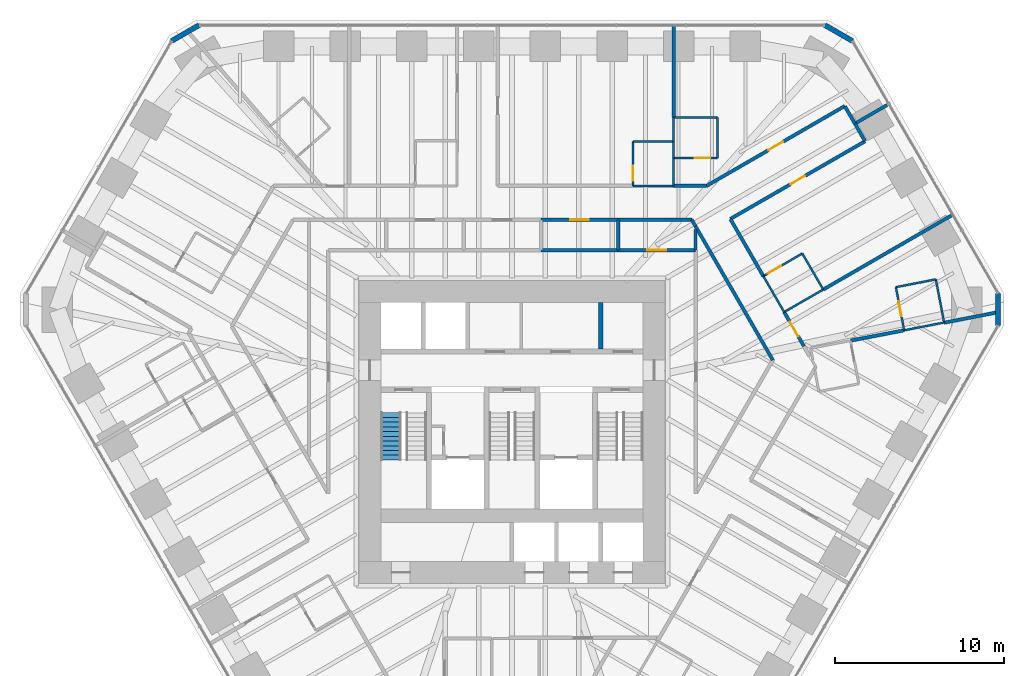
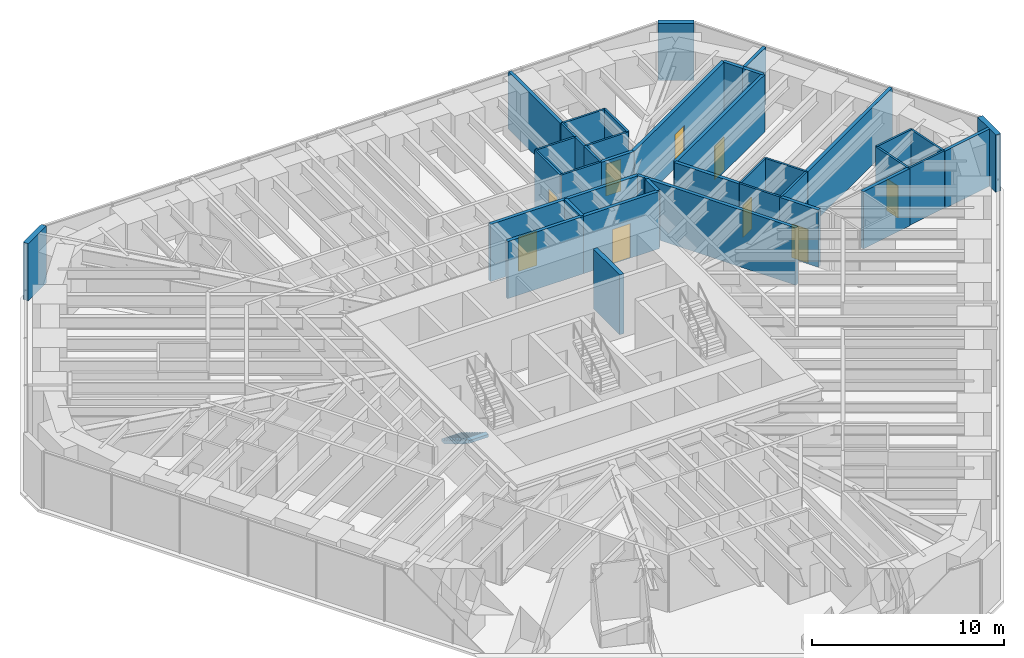
# One storey, part 15 of 17: 41 walls, 9 doors, 1 stair flight, 9 openings, 1 element without a shape of its own.
"""IFC4 building model written with IfcOpenShell, lengths in metres."""

from ifc_helpers import new_model, si_unit, direction, frame, frame_2d, origin, place, context, subcontext, project, spatial, polyline, rectangle, outline, extrude, material, layer, layer_set, type_object, element, fill, aggregate, save


model = new_model("IFC4")

# Units and contexts
model_context = context("Model", 3, precision=1e-05, world=origin(), true_north=direction((0.0, 1.0)))
body_context = subcontext(model_context, "Body", "Model", "MODEL_VIEW")
ifc_project = project(units=[si_unit("LENGTHUNIT", "METRE"), si_unit("AREAUNIT", "SQUARE_METRE"), si_unit("VOLUMEUNIT", "CUBIC_METRE"), si_unit("PLANEANGLEUNIT", "RADIAN"), si_unit("MASSUNIT", "GRAM", prefix="KILO")], contexts=[model_context])

# Site, building, storey
site_placement = place(None, origin())
site = spatial("IfcSite", under=ifc_project, at=site_placement, CompositionType="ELEMENT")
building_placement = place(site_placement, origin())
building = spatial("IfcBuilding", under=site, at=building_placement, Name="Sandreach Pilgrim Tower", CompositionType="ELEMENT")
storey_placement = place(building_placement, frame((0.0, 0.0, 146.199951171875)))
storey = spatial("IfcBuildingStorey", under=building, at=storey_placement, Name="L36", CompositionType="ELEMENT", Elevation=146.199951171875)

# Wall, opening, door
ifc_material_1 = material(Name="Moisture-resistant gypsum board on steel studs", Category="steel")
ifc_layer_1 = layer(ifc_material_1, 0.1201171875)
ifc_layer_set_1 = layer_set([ifc_layer_1], Name="Bathroom partition 120")
wall_type_1 = type_object("IfcWallType", Name="Bathroom partition 120", PredefinedType="PARTITIONING", material=ifc_layer_set_1)
wall_1_placement = place(storey_placement, frame((7.14990234375, 15.610107421875, 0.0), z_axis=(0.0, 0.0, 1.0), x_axis=(0.0, -1.0, 0.0)))
wall_1 = element("IfcWall", 1, at=wall_1_placement, inside=storey, type_object=wall_type_1, Name="Bathroom partition L36-100", PredefinedType="PARTITIONING", context=body_context, shape_type="SweptSolid", body=[
    extrude(rectangle(XDim=2.6201171875, YDim=0.1201171875, at=frame_2d((1.31005859375, 0.0))), origin(), (0.0, 0.0, 1.0), 3.64013671875),
])
opening_1_placement = place(wall_1_placement, frame((1.419921875, 0.0, 0.0)))
opening_1 = element("IfcOpeningElement", 2, at=opening_1_placement, cuts=wall_1, Name="Opening D09-03B", PredefinedType="OPENING", context=body_context, shape_type="SweptSolid", body=[
    extrude(rectangle(XDim=0.89990234375, YDim=2.030029296875, at=frame_2d((0.449951171875, 1.01513671875))), frame((0.0, 0.06005859375, 0.0), z_axis=(0.0, -1.0, 0.0), x_axis=(1.0, 0.0, 0.0)), (0.0, 0.0, 1.0), 0.1201171875),
])
ifc_material_2 = material(Name="Timber door, steel frame", Category="steel")
door_type_1 = type_object("IfcDoorType", Name="Bathroom door", OperationType="SINGLE_SWING_LEFT", PredefinedType="DOOR", material=ifc_material_2)
door_1_placement = place(opening_1_placement, origin())
door_1 = element("IfcDoor", 3, at=door_1_placement, inside=storey, type_object=door_type_1, Name="Door 3603B", OperationType="SINGLE_SWING_RIGHT", OverallHeight=2.030029296875, OverallWidth=0.89990234375, PredefinedType="DOOR", context=body_context, shape_type="SweptSolid", body=[
    extrude(rectangle(XDim=0.89990234375, YDim=2.030029296875, at=frame_2d((0.449951171875, 1.01513671875))), frame((0.0, 0.02490234375, 0.0), z_axis=(0.0, -1.0, 0.0), x_axis=(1.0, 0.0, 0.0)), (0.0, 0.0, 1.0), 0.050048828125),
])
fill(opening_1, door_1)

# Walls
wall_2_placement = place(storey_placement, frame((9.550048828125, 12.989990234375, 0.0), z_axis=(0.0, 0.0, 1.0), x_axis=(-1.0, 0.0, 0.0)))
element("IfcWall", 4, at=wall_2_placement, inside=storey, type_object=wall_type_1, Name="Bathroom partition L36-109", PredefinedType="PARTITIONING", context=body_context, shape_type="SweptSolid", body=[
    extrude(rectangle(XDim=2.400146484375, YDim=0.1201171875, at=frame_2d((1.2001953125, 0.0))), origin(), (0.0, 0.0, 1.0), 3.64013671875),
])
wall_3_placement = place(storey_placement, frame((9.550048828125, 14.639892578125, 0.0), z_axis=(0.0, 0.0, 1.0), x_axis=(0.0, -1.0, 0.0)))
element("IfcWall", 5, at=wall_3_placement, inside=storey, type_object=wall_type_1, Name="Bathroom partition L36-110", PredefinedType="PARTITIONING", context=body_context, shape_type="SweptSolid", body=[
    extrude(rectangle(XDim=1.64990234375, YDim=0.1201171875, at=frame_2d((0.824951171875, 0.0))), origin(), (0.0, 0.0, 1.0), 3.64013671875),
])

# Wall, opening, door
wall_4_placement = place(storey_placement, frame((9.550048828125, 14.639892578125, 0.0), z_axis=(0.0, 0.0, 1.0), x_axis=(1.0, 0.0, 0.0)))
wall_4 = element("IfcWall", 6, at=wall_4_placement, inside=storey, type_object=wall_type_1, Name="Bathroom partition L36-111", PredefinedType="PARTITIONING", context=body_context, shape_type="SweptSolid", body=[
    extrude(rectangle(XDim=2.599853515625, YDim=0.1201171875, at=frame_2d((1.2998046875, 0.0))), origin(), (0.0, 0.0, 1.0), 3.64013671875),
])
opening_2_placement = place(wall_4_placement, frame((1.25, 0.0, 0.0)))
opening_2 = element("IfcOpeningElement", 7, at=opening_2_placement, cuts=wall_4, Name="Opening D09-04B", PredefinedType="OPENING", context=body_context, shape_type="SweptSolid", body=[
    extrude(rectangle(XDim=0.89990234375, YDim=2.030029296875, at=frame_2d((0.449951171875, 1.01513671875))), frame((0.0, 0.06005859375, 0.0), z_axis=(0.0, -1.0, 0.0), x_axis=(1.0, 0.0, 0.0)), (0.0, 0.0, 1.0), 0.1201171875),
])
door_2_placement = place(opening_2_placement, origin())
door_2 = element("IfcDoor", 8, at=door_2_placement, inside=storey, type_object=door_type_1, Name="Door 3604B", OperationType="SINGLE_SWING_RIGHT", OverallHeight=2.030029296875, OverallWidth=0.89990234375, PredefinedType="DOOR", context=body_context, shape_type="SweptSolid", body=[
    extrude(rectangle(XDim=0.89990234375, YDim=2.030029296875, at=frame_2d((0.449951171875, 1.01513671875))), frame((0.0, 0.02490234375, 0.0), z_axis=(0.0, -1.0, 0.0), x_axis=(1.0, 0.0, 0.0)), (0.0, 0.0, 1.0), 0.050048828125),
])
fill(opening_2, door_2)

# Walls
wall_5_placement = place(storey_placement, frame((9.550048828125, 15.610107421875, 0.0), z_axis=(0.0, 0.0, 1.0), x_axis=(-1.0, 0.0, 0.0)))
element("IfcWall", 9, at=wall_5_placement, inside=storey, type_object=wall_type_1, Name="Bathroom partition L36-112", PredefinedType="PARTITIONING", context=body_context, shape_type="SweptSolid", body=[
    extrude(rectangle(XDim=2.400146484375, YDim=0.1201171875, at=frame_2d((1.2001953125, 0.0))), origin(), (0.0, 0.0, 1.0), 3.64013671875),
])
wall_6_placement = place(storey_placement, frame((9.550048828125, 15.610107421875, 0.0), z_axis=(0.0, 0.0, 1.0), x_axis=(0.0, -1.0, 0.0)))
element("IfcWall", 10, at=wall_6_placement, inside=storey, type_object=wall_type_1, Name="Bathroom partition L36-113", PredefinedType="PARTITIONING", context=body_context, shape_type="SweptSolid", body=[
    extrude(rectangle(XDim=0.97021484375, YDim=0.1201171875, at=frame_2d((0.485107421875, 0.0))), origin(), (0.0, 0.0, 1.0), 3.64013671875),
])
wall_7_placement = place(storey_placement, frame((9.550048828125, 17.0400390625, 0.0), z_axis=(0.0, 0.0, 1.0), x_axis=(0.0, -1.0, 0.0)))
element("IfcWall", 11, at=wall_7_placement, inside=storey, type_object=wall_type_1, Name="Bathroom partition L36-114", PredefinedType="PARTITIONING", context=body_context, shape_type="SweptSolid", body=[
    extrude(rectangle(XDim=1.429931640625, YDim=0.1201171875, at=frame_2d((0.71484375, 0.0))), origin(), (0.0, 0.0, 1.0), 3.64013671875),
])
wall_8_placement = place(storey_placement, frame((12.14990234375, 14.639892578125, 0.0), z_axis=(0.0, 0.0, 1.0), x_axis=(0.0, 1.0, 0.0)))
element("IfcWall", 12, at=wall_8_placement, inside=storey, type_object=wall_type_1, Name="Bathroom partition L36-123", PredefinedType="PARTITIONING", context=body_context, shape_type="SweptSolid", body=[
    extrude(rectangle(XDim=2.400146484375, YDim=0.1201171875, at=frame_2d((1.2001953125, 0.0))), origin(), (0.0, 0.0, 1.0), 3.64013671875),
])
wall_9_placement = place(storey_placement, frame((12.14990234375, 17.0400390625, 0.0), z_axis=(0.0, 0.0, 1.0), x_axis=(-1.0, 0.0, 0.0)))
element("IfcWall", 13, at=wall_9_placement, inside=storey, type_object=wall_type_1, Name="Bathroom partition L36-124", PredefinedType="PARTITIONING", context=body_context, shape_type="SweptSolid", body=[
    extrude(rectangle(XDim=2.599853515625, YDim=0.1201171875, at=frame_2d((1.2998046875, 0.0))), origin(), (0.0, 0.0, 1.0), 3.64013671875),
])
wall_10_placement = place(storey_placement, frame((14.85009765625, 7.66015625, 0.0), z_axis=(0.0, 0.0, 1.0), x_axis=(0.501236510024, -0.865310326426, 0.0)))
element("IfcWall", 14, at=wall_10_placement, inside=storey, type_object=wall_type_1, Name="Bathroom partition L36-129", PredefinedType="PARTITIONING", context=body_context, shape_type="SweptSolid", body=[
    extrude(rectangle(XDim=2.450927734375, YDim=0.1201171875, at=frame_2d((1.2255859375, 0.0))), origin(), (0.0, 0.0, 1.0), 3.64013671875),
])
wall_11_placement = place(storey_placement, frame((16.080078125, 5.5400390625, 0.0), z_axis=(0.0, 0.0, 1.0), x_axis=(0.86663205897, 0.498947767172, 0.0)))
element("IfcWall", 15, at=wall_11_placement, inside=storey, type_object=wall_type_1, Name="Bathroom partition L36-132", PredefinedType="PARTITIONING", context=body_context, shape_type="SweptSolid", body=[
    extrude(rectangle(XDim=2.665283203125, YDim=0.1201171875, at=frame_2d((1.33251953125, 0.0))), origin(), (0.0, 0.0, 1.0), 3.64013671875),
])

# Wall, opening, door
wall_12_placement = place(storey_placement, frame((17.14990234375, 9.0, 0.0), z_axis=(0.0, 0.0, 1.0), x_axis=(-0.864018325232, -0.503460359575, 0.0)))
wall_12 = element("IfcWall", 16, at=wall_12_placement, inside=storey, type_object=wall_type_1, Name="Bathroom partition L36-133", PredefinedType="PARTITIONING", context=body_context, shape_type="SweptSolid", body=[
    extrude(rectangle(XDim=2.661865234375, YDim=0.1201171875, at=frame_2d((1.3310546875, 0.0))), origin(), (0.0, 0.0, 1.0), 3.64013671875),
])
opening_3_placement = place(wall_12_placement, frame((1.4619140625, 0.0, 0.0)))
opening_3 = element("IfcOpeningElement", 17, at=opening_3_placement, cuts=wall_12, Name="Opening D09-05B", PredefinedType="OPENING", context=body_context, shape_type="SweptSolid", body=[
    extrude(rectangle(XDim=0.89990234375, YDim=2.030029296875, at=frame_2d((0.449951171875, 1.01513671875))), frame((0.0, 0.06005859375, 0.0), z_axis=(0.0, -1.0, 0.0), x_axis=(1.0, 0.0, 0.0)), (0.0, 0.0, 1.0), 0.1201171875),
])
door_3_placement = place(opening_3_placement, origin())
door_3 = element("IfcDoor", 18, at=door_3_placement, inside=storey, type_object=door_type_1, Name="Door 3605B", OperationType="SINGLE_SWING_RIGHT", OverallHeight=2.030029296875, OverallWidth=0.89990234375, PredefinedType="DOOR", context=body_context, shape_type="SweptSolid", body=[
    extrude(rectangle(XDim=0.89990234375, YDim=2.030029296875, at=frame_2d((0.449951171875, 1.01513671875))), frame((0.0, 0.02490234375, 0.0), z_axis=(0.0, -1.0, 0.0), x_axis=(1.0, 0.0, 0.0)), (0.0, 0.0, 1.0), 0.050048828125),
])
fill(opening_3, door_3)

# Wall
wall_13_placement = place(storey_placement, frame((18.389892578125, 6.8701171875, 0.0), z_axis=(0.0, 0.0, 1.0), x_axis=(-0.503131731744, 0.864209731785, 0.0)))
element("IfcWall", 19, at=wall_13_placement, inside=storey, type_object=wall_type_1, Name="Bathroom partition L36-141", PredefinedType="PARTITIONING", context=body_context, shape_type="SweptSolid", body=[
    extrude(rectangle(XDim=2.464599609375, YDim=0.1201171875, at=frame_2d((1.232421875, 0.0))), origin(), (0.0, 0.0, 1.0), 3.64013671875),
])

# Wall, opening, door
wall_14_placement = place(storey_placement, frame((22.679931640625, 7.010009765625, 0.0), z_axis=(0.0, 0.0, 1.0), x_axis=(0.188697442844, -0.982035271802, 0.0)))
wall_14 = element("IfcWall", 20, at=wall_14_placement, inside=storey, type_object=wall_type_1, Name="Bathroom partition L36-150", PredefinedType="PARTITIONING", context=body_context, shape_type="SweptSolid", body=[
    extrude(rectangle(XDim=2.5966796875, YDim=0.1201171875, at=frame_2d((1.29833984375, 0.0))), origin(), (0.0, 0.0, 1.0), 3.64013671875),
])
opening_4_placement = place(wall_14_placement, frame((0.85009765625, 0.0, 0.0)))
opening_4 = element("IfcOpeningElement", 21, at=opening_4_placement, cuts=wall_14, Name="Opening D09-06B", PredefinedType="OPENING", context=body_context, shape_type="SweptSolid", body=[
    extrude(rectangle(XDim=0.89990234375, YDim=2.030029296875, at=frame_2d((0.449951171875, 1.01513671875))), frame((0.0, 0.06005859375, 0.0), z_axis=(0.0, -1.0, 0.0), x_axis=(1.0, 0.0, 0.0)), (0.0, 0.0, 1.0), 0.1201171875),
])
door_4_placement = place(opening_4_placement, origin())
door_4 = element("IfcDoor", 22, at=door_4_placement, inside=storey, type_object=door_type_1, Name="Door 3606B", OperationType="SINGLE_SWING_LEFT", OverallHeight=2.030029296875, OverallWidth=0.89990234375, PredefinedType="DOOR", context=body_context, shape_type="SweptSolid", body=[
    extrude(rectangle(XDim=0.89990234375, YDim=2.030029296875, at=frame_2d((0.449951171875, 1.01513671875))), frame((0.0, 0.02490234375, 0.0), z_axis=(0.0, -1.0, 0.0), x_axis=(1.0, 0.0, 0.0)), (0.0, 0.0, 1.0), 0.050048828125),
])
fill(opening_4, door_4)

# Walls
for number, where, z_axis, x_axis, name in (
    (23, (23.169921875, 4.4599609375, 0.0), (0.0, 0.0, 1.0), (0.981533392326, 0.191290877329, 0.0), "Bathroom partition L36-151"),
    (24, (25.0400390625, 7.469970703125, 0.0), (0.0, 0.0, 1.0), (-0.981533392326, -0.191290877329, 0.0), "Bathroom partition L36-152"),
):
    element("IfcWall", number, at=place(storey_placement, frame(where, z_axis=z_axis, x_axis=x_axis)), inside=storey, type_object=wall_type_1, Name=name, PredefinedType="PARTITIONING", context=body_context, shape_type="SweptSolid", body=[
        extrude(rectangle(XDim=2.404541015625, YDim=0.1201171875, at=frame_2d((1.2021484375, 0.0))), origin(), (0.0, 0.0, 1.0), 3.64013671875),
    ])
wall_15_placement = place(storey_placement, frame((25.530029296875, 4.919921875, 0.0), z_axis=(0.0, 0.0, 1.0), x_axis=(-0.188697442844, 0.982035271802, 0.0)))
element("IfcWall", 25, at=wall_15_placement, inside=storey, type_object=wall_type_1, Name="Bathroom partition L36-153", PredefinedType="PARTITIONING", context=body_context, shape_type="SweptSolid", body=[
    extrude(rectangle(XDim=2.5966796875, YDim=0.1201171875, at=frame_2d((1.29833984375, 0.0))), origin(), (0.0, 0.0, 1.0), 3.64013671875),
])

# Wall, opening, door
ifc_material_3 = material(Name="Gypsum board on steel studs, two layers each side", Category="steel")
ifc_layer_2 = layer(ifc_material_3, 0.199951171875)
ifc_layer_set_2 = layer_set([ifc_layer_2], Name="Corridor wall 200")
wall_type_2 = type_object("IfcWallType", Name="Corridor wall 200", PredefinedType="PARTITIONING", material=ifc_layer_set_2)
wall_16_placement = place(storey_placement, frame((1.7099609375, 10.989990234375, 0.0), z_axis=(0.0, 0.0, 1.0), x_axis=(1.0, 0.0, 0.0)))
wall_16 = element("IfcWall", 26, at=wall_16_placement, inside=storey, type_object=wall_type_2, Name="Corridor wall L36-082", PredefinedType="PARTITIONING", context=body_context, shape_type="SweptSolid", body=[
    extrude(rectangle(XDim=4.56005859375, YDim=0.199951171875, at=frame_2d((2.280029296875, 0.0))), origin(), (0.0, 0.0, 1.0), 3.64013671875),
])
opening_5_placement = place(wall_16_placement, frame((1.72998046875, 0.0, 0.0)))
opening_5 = element("IfcOpeningElement", 27, at=opening_5_placement, cuts=wall_16, Name="Opening D11H-M05", PredefinedType="OPENING", context=body_context, shape_type="SweptSolid", body=[
    extrude(rectangle(XDim=1.10009765625, YDim=2.199951171875, at=frame_2d((0.550048828125, 1.10009765625))), frame((0.0, 0.10009765625, 0.0), z_axis=(0.0, -1.0, 0.0), x_axis=(1.0, 0.0, 0.0)), (0.0, 0.0, 1.0), 0.199951171875),
])
ifc_material_4 = material(Name="Steel door and frame", Category="steel")
door_type_2 = type_object("IfcDoorType", Name="Back of house door", OperationType="SINGLE_SWING_LEFT", PredefinedType="DOOR", material=ifc_material_4)
door_5_placement = place(opening_5_placement, origin())
door_5 = element("IfcDoor", 28, at=door_5_placement, inside=storey, type_object=door_type_2, Name="Door 36M05", OperationType="SINGLE_SWING_LEFT", OverallHeight=2.199951171875, OverallWidth=1.10009765625, PredefinedType="DOOR", context=body_context, shape_type="SweptSolid", body=[
    extrude(rectangle(XDim=1.10009765625, YDim=2.199951171875, at=frame_2d((0.550048828125, 1.10009765625))), frame((0.0, 0.02490234375, 0.0), z_axis=(0.0, -1.0, 0.0), x_axis=(1.0, 0.0, 0.0)), (0.0, 0.0, 1.0), 0.050048828125),
])
fill(opening_5, door_5)

# Walls
wall_17_placement = place(storey_placement, frame((6.27001953125, 9.199951171875, 0.0), z_axis=(0.0, 0.0, 1.0), x_axis=(-1.0, 0.0, 0.0)))
element("IfcWall", 29, at=wall_17_placement, inside=storey, type_object=wall_type_2, Name="Corridor wall L36-095", PredefinedType="PARTITIONING", context=body_context, shape_type="SweptSolid", body=[
    extrude(rectangle(XDim=4.56005859375, YDim=0.199951171875, at=frame_2d((2.280029296875, 0.0))), origin(), (0.0, 0.0, 1.0), 3.64013671875),
])
wall_18_placement = place(storey_placement, frame((6.27001953125, 10.989990234375, 0.0), z_axis=(0.0, 0.0, 1.0), x_axis=(1.0, 0.0, 0.0)))
element("IfcWall", 30, at=wall_18_placement, inside=storey, type_object=wall_type_2, Name="Corridor wall L36-097", PredefinedType="PARTITIONING", context=body_context, shape_type="SweptSolid", body=[
    extrude(rectangle(XDim=4.35009765625, YDim=0.199951171875, at=frame_2d((2.175048828125, 0.0))), origin(), (0.0, 0.0, 1.0), 3.64013671875),
])
wall_19_placement = place(storey_placement, frame((10.6201171875, 10.989990234375, 0.0), z_axis=(0.0, 0.0, 1.0), x_axis=(0.5011020393, -0.865388205495, 0.0)))
element("IfcWall", 31, at=wall_19_placement, inside=storey, type_object=wall_type_2, Name="Corridor wall L36-116", PredefinedType="PARTITIONING", context=body_context, shape_type="SweptSolid", body=[
    extrude(rectangle(XDim=0.43896484375, YDim=0.199951171875, at=frame_2d((0.219482421875, 0.0))), origin(), (0.0, 0.0, 1.0), 3.64013671875),
])

# Wall, opening, door
wall_20_placement = place(storey_placement, frame((10.840087890625, 9.199951171875, 0.0), z_axis=(0.0, 0.0, 1.0), x_axis=(-1.0, 0.0, 0.0)))
wall_20 = element("IfcWall", 32, at=wall_20_placement, inside=storey, type_object=wall_type_2, Name="Corridor wall L36-118", PredefinedType="PARTITIONING", context=body_context, shape_type="SweptSolid", body=[
    extrude(rectangle(XDim=4.570068359375, YDim=0.199951171875, at=frame_2d((2.28515625, 0.0))), origin(), (0.0, 0.0, 1.0), 3.64013671875),
])
opening_6_placement = place(wall_20_placement, frame((1.735107421875, 0.0, 0.0)))
opening_6 = element("IfcOpeningElement", 33, at=opening_6_placement, cuts=wall_20, Name="Opening D11H-M06", PredefinedType="OPENING", context=body_context, shape_type="SweptSolid", body=[
    extrude(rectangle(XDim=1.10009765625, YDim=2.199951171875, at=frame_2d((0.550048828125, 1.10009765625))), frame((0.0, 0.10009765625, 0.0), z_axis=(0.0, -1.0, 0.0), x_axis=(1.0, 0.0, 0.0)), (0.0, 0.0, 1.0), 0.199951171875),
])
door_6_placement = place(opening_6_placement, origin())
door_6 = element("IfcDoor", 34, at=door_6_placement, inside=storey, type_object=door_type_2, Name="Door 36M06", OperationType="SINGLE_SWING_LEFT", OverallHeight=2.199951171875, OverallWidth=1.10009765625, PredefinedType="DOOR", context=body_context, shape_type="SweptSolid", body=[
    extrude(rectangle(XDim=1.10009765625, YDim=2.199951171875, at=frame_2d((0.550048828125, 1.10009765625))), frame((0.0, 0.02490234375, 0.0), z_axis=(0.0, -1.0, 0.0), x_axis=(1.0, 0.0, 0.0)), (0.0, 0.0, 1.0), 0.050048828125),
])
fill(opening_6, door_6)

# Walls
wall_21_placement = place(storey_placement, frame((10.840087890625, 10.610107421875, 0.0), z_axis=(0.0, 0.0, 1.0), x_axis=(0.500237524763, -0.865888225361, 0.0)))
element("IfcWall", 35, at=wall_21_placement, inside=storey, type_object=wall_type_2, Name="Corridor wall L36-120", PredefinedType="PARTITIONING", context=body_context, shape_type="SweptSolid", body=[
    extrude(rectangle(XDim=9.13525390625, YDim=0.199951171875, at=frame_2d((4.567626953125, 0.0))), origin(), (0.0, 0.0, 1.0), 3.64013671875),
])
wall_22_placement = place(storey_placement, frame((11.489990234375, 12.989990234375, 0.0), z_axis=(0.0, 0.0, 1.0), x_axis=(-1.0, 0.0, 0.0)))
element("IfcWall", 36, at=wall_22_placement, inside=storey, type_object=wall_type_2, Name="Corridor wall L36-122", PredefinedType="PARTITIONING", context=body_context, shape_type="SweptSolid", body=[
    extrude(rectangle(XDim=1.93994140625, YDim=0.199951171875, at=frame_2d((0.969970703125, 0.0))), origin(), (0.0, 0.0, 1.0), 3.64013671875),
])

# Wall, opening, door
wall_23_placement = place(storey_placement, frame((12.89990234375, 11.0400390625, 0.0), z_axis=(0.0, 0.0, 1.0), x_axis=(0.866295705695, 0.499531530832, 0.0)))
wall_23 = element("IfcWall", 37, at=wall_23_placement, inside=storey, type_object=wall_type_2, Name="Corridor wall L36-125", PredefinedType="PARTITIONING", context=body_context, shape_type="SweptSolid", body=[
    extrude(rectangle(XDim=9.188720703125, YDim=0.199951171875, at=frame_2d((4.59423828125, 0.0))), origin(), (0.0, 0.0, 1.0), 3.64013671875),
])
opening_7_placement = place(wall_23_placement, frame((4.09423828125, 0.0, 0.0)))
opening_7 = element("IfcOpeningElement", 38, at=opening_7_placement, cuts=wall_23, Name="Opening D10-05", PredefinedType="OPENING", context=body_context, shape_type="SweptSolid", body=[
    extrude(rectangle(XDim=1.0, YDim=2.1298828125, at=frame_2d((0.5, 1.06494140625))), frame((0.0, 0.10009765625, 0.0), z_axis=(0.0, -1.0, 0.0), x_axis=(1.0, 0.0, 0.0)), (0.0, 0.0, 1.0), 0.199951171875),
])
ifc_material_5 = material(Name="Steel door and frame", Category="steel")
door_type_3 = type_object("IfcDoorType", Name="Guest room entry door", OperationType="SINGLE_SWING_LEFT", PredefinedType="DOOR", material=ifc_material_5)
door_7_placement = place(opening_7_placement, origin())
door_7 = element("IfcDoor", 39, at=door_7_placement, inside=storey, type_object=door_type_3, Name="Door 3605", OperationType="SINGLE_SWING_LEFT", OverallHeight=2.1298828125, OverallWidth=1.0, PredefinedType="DOOR", context=body_context, shape_type="SweptSolid", body=[
    extrude(rectangle(XDim=1.0, YDim=2.1298828125, at=frame_2d((0.5, 1.06494140625))), frame((0.0, 0.02490234375, 0.0), z_axis=(0.0, -1.0, 0.0), x_axis=(1.0, 0.0, 0.0)), (0.0, 0.0, 1.0), 0.050048828125),
])
fill(opening_7, door_7)

# Wall
wall_24_placement = place(storey_placement, frame((12.907470703125, 11.027099609375, 0.0), z_axis=(0.0, 0.0, 1.0), x_axis=(0.499726078095, -0.86618349492, 0.0)))
element("IfcWall", 40, at=wall_24_placement, inside=storey, type_object=wall_type_2, Name="Corridor wall L36-127", PredefinedType="PARTITIONING", context=body_context, shape_type="SweptSolid", body=[
    extrude(rectangle(XDim=3.887451171875, YDim=0.199951171875, at=frame_2d((1.94384765625, 0.0))), origin(), (0.0, 0.0, 1.0), 3.64013671875),
])

# Wall, opening, door
wall_25_placement = place(storey_placement, frame((16.07861328125, 5.539306640625, 0.0), z_axis=(0.0, 0.0, 1.0), x_axis=(0.501782258451, -0.864993968247, 0.0)))
wall_25 = element("IfcWall", 41, at=wall_25_placement, inside=storey, type_object=wall_type_2, Name="Corridor wall L36-131", PredefinedType="PARTITIONING", context=body_context, shape_type="SweptSolid", body=[
    extrude(rectangle(XDim=2.33447265625, YDim=0.199951171875, at=frame_2d((1.167236328125, 0.0))), origin(), (0.0, 0.0, 1.0), 3.64013671875),
])
opening_8_placement = place(wall_25_placement, frame((0.667236328125, 0.0, 0.0)))
opening_8 = element("IfcOpeningElement", 42, at=opening_8_placement, cuts=wall_25, Name="Opening D10-06", PredefinedType="OPENING", context=body_context, shape_type="SweptSolid", body=[
    extrude(rectangle(XDim=1.0, YDim=2.1298828125, at=frame_2d((0.5, 1.06494140625))), frame((0.0, 0.10009765625, 0.0), z_axis=(0.0, -1.0, 0.0), x_axis=(1.0, 0.0, 0.0)), (0.0, 0.0, 1.0), 0.199951171875),
])
door_8_placement = place(opening_8_placement, origin())
door_8 = element("IfcDoor", 43, at=door_8_placement, inside=storey, type_object=door_type_3, Name="Door 3606", OperationType="SINGLE_SWING_LEFT", OverallHeight=2.1298828125, OverallWidth=1.0, PredefinedType="DOOR", context=body_context, shape_type="SweptSolid", body=[
    extrude(rectangle(XDim=1.0, YDim=2.1298828125, at=frame_2d((0.5, 1.06494140625))), frame((0.0, 0.02490234375, 0.0), z_axis=(0.0, -1.0, 0.0), x_axis=(1.0, 0.0, 0.0)), (0.0, 0.0, 1.0), 0.050048828125),
])
fill(opening_8, door_8)

wall_26_placement = place(storey_placement, frame((19.659912109375, 17.7099609375, 0.0), z_axis=(0.0, 0.0, 1.0), x_axis=(-0.865884749539, -0.500243541204, 0.0)))
wall_26 = element("IfcWall", 44, at=wall_26_placement, inside=storey, type_object=wall_type_2, Name="Corridor wall L36-143", PredefinedType="PARTITIONING", context=body_context, shape_type="SweptSolid", body=[
    extrude(rectangle(XDim=9.435302734375, YDim=0.199951171875, at=frame_2d((4.7177734375, 0.0))), origin(), (0.0, 0.0, 1.0), 3.64013671875),
])
opening_9_placement = place(wall_26_placement, frame((4.2177734375, 0.0, 0.0)))
opening_9 = element("IfcOpeningElement", 45, at=opening_9_placement, cuts=wall_26, Name="Opening D10-04", PredefinedType="OPENING", context=body_context, shape_type="SweptSolid", body=[
    extrude(rectangle(XDim=1.0, YDim=2.1298828125, at=frame_2d((0.5, 1.06494140625))), frame((0.0, 0.10009765625, 0.0), z_axis=(0.0, -1.0, 0.0), x_axis=(1.0, 0.0, 0.0)), (0.0, 0.0, 1.0), 0.199951171875),
])
door_9_placement = place(opening_9_placement, origin())
door_9 = element("IfcDoor", 46, at=door_9_placement, inside=storey, type_object=door_type_3, Name="Door 3604", OperationType="SINGLE_SWING_LEFT", OverallHeight=2.1298828125, OverallWidth=1.0, PredefinedType="DOOR", context=body_context, shape_type="SweptSolid", body=[
    extrude(rectangle(XDim=1.0, YDim=2.1298828125, at=frame_2d((0.5, 1.06494140625))), frame((0.0, 0.02490234375, 0.0), z_axis=(0.0, -1.0, 0.0), x_axis=(1.0, 0.0, 0.0)), (0.0, 0.0, 1.0), 0.050048828125),
])
fill(opening_9, door_9)

# Walls
wall_27_placement = place(storey_placement, frame((19.66748046875, 17.697021484375, 0.0), z_axis=(0.0, 0.0, 1.0), x_axis=(0.499704629046, -0.866195869137, 0.0)))
element("IfcWall", 47, at=wall_27_placement, inside=storey, type_object=wall_type_2, Name="Corridor wall L36-144", PredefinedType="PARTITIONING", context=body_context, shape_type="SweptSolid", body=[
    extrude(rectangle(XDim=1.185791015625, YDim=0.199951171875, at=frame_2d((0.5927734375, 0.0))), origin(), (0.0, 0.0, 1.0), 3.64013671875),
])
wall_28_placement = place(storey_placement, frame((20.260009765625, 16.669921875, 0.0), z_axis=(0.0, 0.0, 1.0), x_axis=(0.499734288277, -0.866178758179, 0.0)))
element("IfcWall", 48, at=wall_28_placement, inside=storey, type_object=wall_type_2, Name="Corridor wall L36-146", PredefinedType="PARTITIONING", context=body_context, shape_type="SweptSolid", body=[
    extrude(rectangle(XDim=1.190673828125, YDim=0.199951171875, at=frame_2d((0.59521484375, 0.0))), origin(), (0.0, 0.0, 1.0), 3.64013671875),
])
ifc_material_6 = material(Name="Double steel stud acoustic wall, gypsum board", Category="steel")
ifc_layer_3 = layer(ifc_material_6, 0.199951171875)
ifc_layer_set_3 = layer_set([ifc_layer_3], Name="Party wall 200")
wall_type_3 = type_object("IfcWallType", Name="Party wall 200", PredefinedType="PARTITIONING", material=ifc_layer_set_3)
wall_29_placement = place(storey_placement, frame((6.27001953125, 10.97998046875, 0.0), z_axis=(0.0, 0.0, 1.0), x_axis=(0.0, -1.0, 0.0)))
element("IfcWall", 49, at=wall_29_placement, inside=storey, type_object=wall_type_3, Name="Party wall L36-096", PredefinedType="PARTITIONING", context=body_context, shape_type="SweptSolid", body=[
    extrude(rectangle(XDim=1.77001953125, YDim=0.199951171875, at=frame_2d((0.885009765625, 0.0))), origin(), (0.0, 0.0, 1.0), 3.64013671875),
])
wall_30_placement = place(storey_placement, frame((9.550048828125, 22.4599609375, 0.0), z_axis=(0.0, 0.0, 1.0), x_axis=(0.0, -1.0, 0.0)))
element("IfcWall", 50, at=wall_30_placement, inside=storey, type_object=wall_type_3, Name="Party wall L36-115", PredefinedType="PARTITIONING", context=body_context, shape_type="SweptSolid", body=[
    extrude(rectangle(XDim=5.419921875, YDim=0.199951171875, at=frame_2d((2.7099609375, 0.0))), origin(), (0.0, 0.0, 1.0), 3.64013671875),
])
wall_31_placement = place(storey_placement, frame((10.840087890625, 10.4150390625, 0.0), z_axis=(0.0, 0.0, 1.0), x_axis=(0.0, -1.0, 0.0)))
element("IfcWall", 51, at=wall_31_placement, inside=storey, type_object=wall_type_3, Name="Party wall L36-119", PredefinedType="PARTITIONING", context=body_context, shape_type="SweptSolid", body=[
    extrude(rectangle(XDim=1.205078125, YDim=0.199951171875, at=frame_2d((0.6025390625, 0.0))), origin(), (0.0, 0.0, 1.0), 3.64013671875),
])
wall_32_placement = place(storey_placement, frame((18.389892578125, 6.8701171875, 0.0), z_axis=(0.0, 0.0, 1.0), x_axis=(0.865875215531, 0.500260043506, 0.0)))
element("IfcWall", 52, at=wall_32_placement, inside=storey, type_object=wall_type_3, Name="Party wall L36-142", PredefinedType="PARTITIONING", context=body_context, shape_type="SweptSolid", body=[
    extrude(rectangle(XDim=8.804931640625, YDim=0.199951171875, at=frame_2d((4.40234375, 0.0))), origin(), (0.0, 0.0, 1.0), 3.64013671875),
])
wall_33_placement = place(storey_placement, frame((20.0, 3.85009765625, 0.0), z_axis=(0.0, 0.0, 1.0), x_axis=(0.981991339242, 0.188925936955, 0.0)))
element("IfcWall", 53, at=wall_33_placement, inside=storey, type_object=wall_type_3, Name="Party wall L36-145", PredefinedType="PARTITIONING", context=body_context, shape_type="SweptSolid", body=[
    extrude(rectangle(XDim=3.22802734375, YDim=0.199951171875, at=frame_2d((1.614013671875, 0.0))), origin(), (0.0, 0.0, 1.0), 3.64013671875),
])
wall_34_placement = place(storey_placement, frame((22.15625, 17.769775390625, 0.0), z_axis=(0.0, 0.0, 1.0), x_axis=(-0.865037029405, -0.501708020425, 0.0)))
element("IfcWall", 54, at=wall_34_placement, inside=storey, type_object=wall_type_3, Name="Party wall L36-149", PredefinedType="PARTITIONING", context=body_context, shape_type="SweptSolid", body=[
    extrude(rectangle(XDim=2.17724609375, YDim=0.199951171875, at=frame_2d((1.088623046875, 0.0))), origin(), (0.0, 0.0, 1.0), 3.64013671875),
])
wall_35_placement = place(storey_placement, frame((28.740478515625, 5.5341796875, 0.0), z_axis=(0.0, 0.0, 1.0), x_axis=(-0.98161461266, -0.190873655101, 0.0)))
element("IfcWall", 55, at=wall_35_placement, inside=storey, type_object=wall_type_3, Name="Party wall L36-154", PredefinedType="PARTITIONING", context=body_context, shape_type="SweptSolid", body=[
    extrude(rectangle(XDim=3.2705078125, YDim=0.199951171875, at=frame_2d((1.63525390625, 0.0))), origin(), (0.0, 0.0, 1.0), 3.64013671875),
])
ifc_material_7 = material(Name="Gypsum shaft wall on steel studs, two layers of shaft liner board", Category="steel")
ifc_layer_4 = layer(ifc_material_7, 0.25)
ifc_layer_set_4 = layer_set([ifc_layer_4], Name="Shaft partition 250")
wall_type_4 = type_object("IfcWallType", Name="Shaft partition 250", PredefinedType="PARTITIONING", material=ifc_layer_set_4)
wall_36_placement = place(storey_placement, frame((5.25, 3.35009765625, 0.0), z_axis=(0.0, 0.0, 1.0), x_axis=(0.0, 1.0, 0.0)))
element("IfcWall", 56, at=wall_36_placement, inside=storey, type_object=wall_type_4, Name="Shaft partition NS4 L36", PredefinedType="PARTITIONING", context=body_context, shape_type="SweptSolid", body=[
    extrude(rectangle(XDim=2.75, YDim=0.25, at=frame_2d((1.375, 0.0))), origin(), (0.0, 0.0, 1.0), 3.800048828125),
])
ifc_material_8 = material(Name="Terracotta rainscreen on concrete", Category="masonry")
ifc_layer_5 = layer(ifc_material_8, 0.300048828125)
ifc_layer_set_5 = layer_set([ifc_layer_5], Name="Terracotta chamfer pier")
wall_type_5 = type_object("IfcWallType", Name="Terracotta chamfer pier", PredefinedType="SOLIDWALL", material=ifc_layer_set_5)
wall_37_placement = place(storey_placement, frame((18.4814453125, 22.493896484375, 0.0), z_axis=(0.0, 0.0, 1.0), x_axis=(0.865988793993, -0.500063404658, 0.0)))
element("IfcWall", 57, at=wall_37_placement, inside=storey, type_object=wall_type_5, Name="Chamfer pier L36 N", PredefinedType="SOLIDWALL", context=body_context, shape_type="SweptSolid", body=[
    extrude(rectangle(XDim=1.880126953125, YDim=0.300048828125, at=frame_2d((0.93994140625, 0.0))), origin(), (0.0, 0.0, 1.0), 3.64013671875),
])
wall_38_placement = place(storey_placement, frame((28.720947265625, 6.638427734375, 0.0), z_axis=(0.0, 0.0, 1.0), x_axis=(0.0, -1.0, 0.0)))
element("IfcWall", 58, at=wall_38_placement, inside=storey, type_object=wall_type_5, Name="Chamfer pier L36 NE", PredefinedType="SOLIDWALL", context=body_context, shape_type="SweptSolid", body=[
    extrude(rectangle(XDim=1.8798828125, YDim=0.300048828125, at=frame_2d((0.93994140625, 0.0))), origin(), (0.0, 0.0, 1.0), 3.64013671875),
])
wall_39_placement = place(storey_placement, frame((-20.109619140625, 21.5537109375, 0.0), z_axis=(0.0, 0.0, 1.0), x_axis=(0.865988793993, 0.500063404658, 0.0)))
element("IfcWall", 59, at=wall_39_placement, inside=storey, type_object=wall_type_5, Name="Chamfer pier L36 NW", PredefinedType="SOLIDWALL", context=body_context, shape_type="SweptSolid", body=[
    extrude(rectangle(XDim=1.880126953125, YDim=0.300048828125, at=frame_2d((0.93994140625, 0.0))), origin(), (0.0, 0.0, 1.0), 3.64013671875),
])

# Stair, stair flight
ifc_material_9 = material(Name="Concrete 8000 psi", Category="concrete")
stair_type = type_object("IfcStairType", Name="Core exit stair", PredefinedType="HALF_TURN_STAIR", material=ifc_material_9)
stair_placement = place(storey_placement, origin())
stair = element("IfcStair", 60, at=stair_placement, inside=storey, type_object=stair_type, Name="Exit stair ST1 L36", PredefinedType="HALF_TURN_STAIR")
ifc_material_10 = material(Name="Concrete 8000 psi", Category="concrete")
stair_flight_type = type_object("IfcStairFlightType", Name="Core stair flight 1200", PredefinedType="STRAIGHT", material=ifc_material_10)
stair_flight_placement = place(storey_placement, frame((-7.14990234375, -0.39990234375, 0.0), z_axis=(0.0, 0.0, 1.0), x_axis=(0.0, -1.0, 0.0)))
stair_flight = element("IfcStairFlight", 61, at=stair_flight_placement, type_object=stair_flight_type, Name="ST1 flight 1", NumberOfRisers=11, NumberOfTreads=10, PredefinedType="STRAIGHT", RiserHeight=0.172727273, TreadLength=0.28, context=body_context, shape_type="SweptSolid", body=[
    extrude(outline(polyline([(0.0, 0.0), (0.0, 0.172607421875), (0.280029296875, 0.172607421875), (0.280029296875, 0.345458984375), (0.56005859375, 0.345458984375), (0.56005859375, 0.51806640625), (0.840087890625, 0.51806640625), (0.840087890625, 0.69091796875), (1.1201171875, 0.69091796875), (1.1201171875, 0.863525390625), (1.39990234375, 0.863525390625), (1.39990234375, 1.036376953125), (1.679931640625, 1.036376953125), (1.679931640625, 1.208984375), (1.9599609375, 1.208984375), (1.9599609375, 1.3818359375), (2.239990234375, 1.3818359375), (2.239990234375, 1.554443359375), (2.52001953125, 1.554443359375), (2.52001953125, 1.727294921875), (2.800048828125, 1.727294921875), (2.800048828125, 1.89990234375), (2.800048828125, 1.551025390625), (0.285400390625, 0.0), (0.0, 0.0)])), frame((0.0, 0.60009765625, 0.0), z_axis=(0.0, -1.0, 0.0), x_axis=(1.0, 0.0, 0.0)), (0.0, 0.0, 1.0), 1.199951171875),
])
aggregate(stair, [stair_flight])

save(model, "model.ifc")
